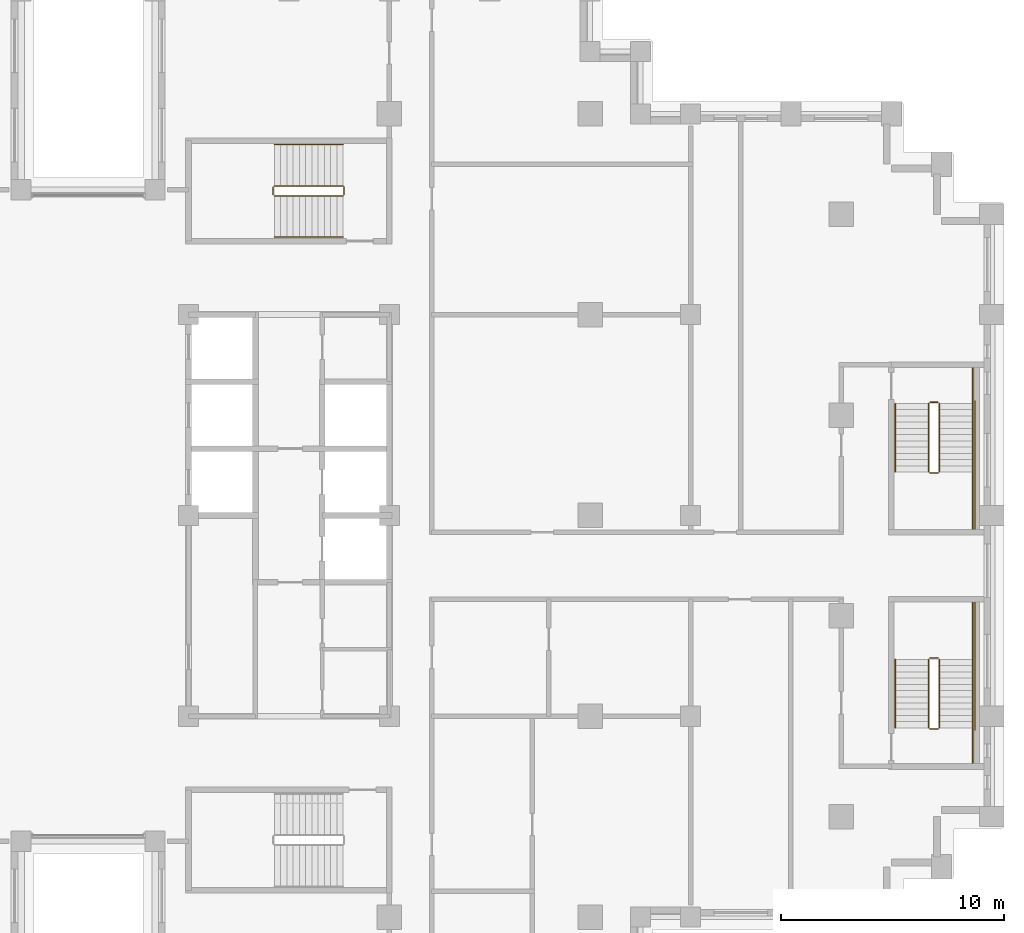
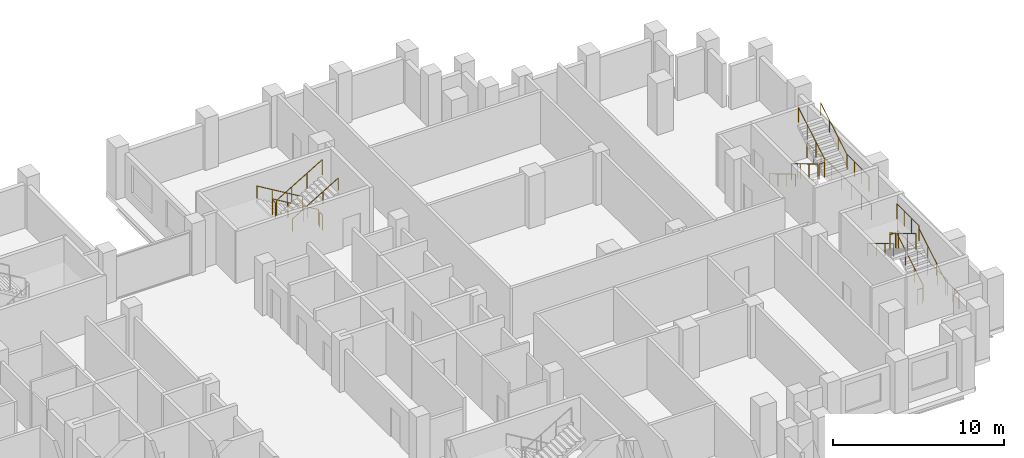
# One storey, part 15 of 15: 3 railings.
"""IFC4 building model written with IfcOpenShell, lengths in metres."""

from ifc_helpers import new_model, si_unit, direction, frame, origin, origin_2d, place, context, subcontext, project, spatial, circle, extrude, material, type_object, element, save


model = new_model("IFC4")

# Units and contexts
model_context = context("Model", 3, precision=1e-05, world=origin(), true_north=direction((0.0, 1.0)))
body_context = subcontext(model_context, "Body", "Model", "MODEL_VIEW")
ifc_project = project(units=[si_unit("LENGTHUNIT", "METRE"), si_unit("AREAUNIT", "SQUARE_METRE"), si_unit("VOLUMEUNIT", "CUBIC_METRE"), si_unit("PLANEANGLEUNIT", "RADIAN"), si_unit("MASSUNIT", "GRAM", prefix="KILO")], contexts=[model_context])

# Site, building, storey
site_placement = place(None, origin())
site = spatial("IfcSite", under=ifc_project, at=site_placement, CompositionType="ELEMENT")
building_placement = place(site_placement, origin())
building = spatial("IfcBuilding", under=site, at=building_placement, Name="Corbelhall Arena Tower", CompositionType="ELEMENT")
storey_placement = place(building_placement, frame((0.0, 0.0, 142.0)))
storey = spatial("IfcBuildingStorey", under=building, at=storey_placement, Name="L27", CompositionType="ELEMENT", Elevation=142.0)

# Railings
ifc_material = material(Name="Steel ASTM A500 Gr C", Category="steel")
railing_type = type_object("IfcRailingType", Name="IN-GD-1100", PredefinedType="GUARDRAIL", material=ifc_material)
railing_1_placement = place(storey_placement, frame((11.425048828125, 14.77490234375, 0.166748046875)))
element("IfcRailing", 1, at=railing_1_placement, inside=storey, type_object=railing_type, Name="L27 ST3 stair guards and handrails", PredefinedType="GUARDRAIL", context=body_context, shape_type="SweptSolid", body=[
    extrude(circle(Radius=0.02392578125, at=origin_2d()), frame((0.0, 0.0, 1.076171875), z_axis=(-0.859308565015, 0.0, 0.511457515432), x_axis=(0.0, -1.0, 0.0)), (0.0, 0.0, 1.0), 3.58447265625),
    extrude(circle(Radius=0.02392578125, at=origin_2d()), frame((-3.130126953125, -0.0498046875, 2.9091796875), z_axis=(0.0, -1.0, 0.0), x_axis=(1.0, 0.0, 0.0)), (0.0, 0.0, 1.0), 0.35009765625),
    extrude(circle(Radius=0.02392578125, at=origin_2d()), frame((-3.080078125, -0.449951171875, 3.076171875), z_axis=(0.859308565015, 0.0, 0.511457515432), x_axis=(0.0, 1.0, 0.0)), (0.0, 0.0, 1.0), 3.58447265625),
    extrude(circle(Radius=0.02392578125, at=origin_2d()), frame((0.050048828125, -0.0498046875, 0.9091796875), z_axis=(0.0, -1.0, 0.0), x_axis=(1.0, 0.0, 0.0)), (0.0, 0.0, 1.0), 0.35009765625),
    extrude(circle(Radius=0.02392578125, at=origin_2d()), frame((0.0, 1.85009765625, 0.8759765625), z_axis=(-0.859308565015, 0.0, 0.511457515432), x_axis=(0.0, -1.0, 0.0)), (0.0, 0.0, 1.0), 3.58447265625),
    extrude(circle(Radius=0.02392578125, at=origin_2d()), frame((-3.080078125, -2.2998046875, 2.8759765625), z_axis=(0.859308565015, 0.0, 0.511457515432), x_axis=(0.0, 1.0, 0.0)), (0.0, 0.0, 1.0), 3.58447265625),
    extrude(circle(Radius=0.02099609375, at=origin_2d()), origin(), (0.0, 0.0, 1.0), 1.052001953125),
    extrude(circle(Radius=0.02099609375, at=origin_2d()), frame((-1.026611328125, 0.0, 0.611083984375)), (0.0, 0.0, 1.0), 1.052001953125),
    extrude(circle(Radius=0.02099609375, at=origin_2d()), frame((-2.053466796875, 0.0, 1.22216796875)), (0.0, 0.0, 1.0), 1.052001953125),
    extrude(circle(Radius=0.02099609375, at=origin_2d()), frame((-3.080078125, 0.0, 1.833251953125)), (0.0, 0.0, 1.0), 1.052001953125),
    extrude(circle(Radius=0.02099609375, at=origin_2d()), frame((-3.130126953125, -0.0498046875, 1.833251953125)), (0.0, 0.0, 1.0), 1.052001953125),
    extrude(circle(Radius=0.02099609375, at=origin_2d()), frame((-3.130126953125, -0.39990234375, 1.833251953125)), (0.0, 0.0, 1.0), 1.052001953125),
    extrude(circle(Radius=0.02099609375, at=origin_2d()), frame((-3.080078125, -0.449951171875, 2.0)), (0.0, 0.0, 1.0), 1.052001953125),
    extrude(circle(Radius=0.02099609375, at=origin_2d()), frame((-2.053466796875, -0.449951171875, 2.611083984375)), (0.0, 0.0, 1.0), 1.052001953125),
    extrude(circle(Radius=0.02099609375, at=origin_2d()), frame((-1.026611328125, -0.449951171875, 3.22216796875)), (0.0, 0.0, 1.0), 1.052001953125),
    extrude(circle(Radius=0.02099609375, at=origin_2d()), frame((0.0, -0.449951171875, 3.833251953125)), (0.0, 0.0, 1.0), 1.052001953125),
    extrude(circle(Radius=0.02099609375, at=origin_2d()), frame((0.050048828125, -0.0498046875, -0.166748046875)), (0.0, 0.0, 1.0), 1.052001953125),
    extrude(circle(Radius=0.02099609375, at=origin_2d()), frame((0.050048828125, -0.39990234375, -0.166748046875)), (0.0, 0.0, 1.0), 1.052001953125),
    extrude(circle(Radius=0.02099609375, at=origin_2d()), frame((0.0, 1.85009765625, 0.0)), (0.0, 0.0, 1.0), 0.851806640625),
    extrude(circle(Radius=0.02099609375, at=origin_2d()), frame((-1.026611328125, 1.85009765625, 0.611083984375)), (0.0, 0.0, 1.0), 0.851806640625),
    extrude(circle(Radius=0.02099609375, at=origin_2d()), frame((-2.053466796875, 1.85009765625, 1.22216796875)), (0.0, 0.0, 1.0), 0.851806640625),
    extrude(circle(Radius=0.02099609375, at=origin_2d()), frame((-3.080078125, 1.85009765625, 1.833251953125)), (0.0, 0.0, 1.0), 0.851806640625),
    extrude(circle(Radius=0.02099609375, at=origin_2d()), frame((-3.080078125, -2.2998046875, 2.0)), (0.0, 0.0, 1.0), 0.851806640625),
    extrude(circle(Radius=0.02099609375, at=origin_2d()), frame((-2.053466796875, -2.2998046875, 2.611083984375)), (0.0, 0.0, 1.0), 0.851806640625),
    extrude(circle(Radius=0.02099609375, at=origin_2d()), frame((-1.026611328125, -2.2998046875, 3.22216796875)), (0.0, 0.0, 1.0), 0.851806640625),
    extrude(circle(Radius=0.02099609375, at=origin_2d()), frame((0.0, -2.2998046875, 3.833251953125)), (0.0, 0.0, 1.0), 0.851806640625),
])
railing_2_placement = place(storey_placement, frame((38.14990234375, -9.52490234375, 0.166748046875)))
element("IfcRailing", 2, at=railing_2_placement, inside=storey, type_object=railing_type, Name="L27 SD1 stair guards and handrails", PredefinedType="GUARDRAIL", context=body_context, shape_type="SweptSolid", body=[
    extrude(circle(Radius=0.02392578125, at=origin_2d()), frame((0.0, 0.0, 1.076171875), z_axis=(0.0, 0.859290745958, 0.51148745235), x_axis=(-1.0, 0.0, 0.0)), (0.0, 0.0, 1.0), 3.584228515625),
    extrude(circle(Radius=0.02392578125, at=origin_2d()), frame((-0.0498046875, 3.1298828125, 2.9091796875), z_axis=(-1.0, 0.0, 0.0), x_axis=(0.0, -1.0, 0.0)), (0.0, 0.0, 1.0), 0.375),
    extrude(circle(Radius=0.02392578125, at=origin_2d()), frame((1.5, 3.079833984375, 2.9091796875), z_axis=(0.0, 1.0, 0.0), x_axis=(-1.0, 0.0, 0.0)), (0.0, 0.0, 1.0), 2.570068359375),
    extrude(circle(Radius=0.02392578125, at=origin_2d()), frame((-0.474853515625, 3.079833984375, 3.076171875), z_axis=(0.0, -0.859290745958, 0.51148745235), x_axis=(1.0, 0.0, 0.0)), (0.0, 0.0, 1.0), 3.584228515625),
    extrude(circle(Radius=0.02392578125, at=origin_2d()), frame((-0.0498046875, -0.050048828125, 0.9091796875), z_axis=(-1.0, 0.0, 0.0), x_axis=(0.0, -1.0, 0.0)), (0.0, 0.0, 1.0), 0.375),
    extrude(circle(Radius=0.02392578125, at=origin_2d()), frame((1.5, -1.60009765625, 0.9091796875), z_axis=(0.0, 1.0, 0.0), x_axis=(-1.0, 0.0, 0.0)), (0.0, 0.0, 1.0), 1.60009765625),
    extrude(circle(Radius=0.02392578125, at=origin_2d()), frame((1.60009765625, -0.10009765625, 0.9091796875), z_axis=(0.0, 1.0, 0.0), x_axis=(-1.0, 0.0, 0.0)), (0.0, 0.0, 1.0), 5.85009765625),
    extrude(circle(Radius=0.02392578125, at=origin_2d()), frame((1.5, 0.0, 0.8759765625), z_axis=(0.0, 0.859290745958, 0.51148745235), x_axis=(-1.0, 0.0, 0.0)), (0.0, 0.0, 1.0), 3.584228515625),
    extrude(circle(Radius=0.02392578125, at=origin_2d()), frame((-1.974853515625, 3.079833984375, 2.8759765625), z_axis=(0.0, -0.859290745958, 0.51148745235), x_axis=(1.0, 0.0, 0.0)), (0.0, 0.0, 1.0), 3.584228515625),
    extrude(circle(Radius=0.02099609375, at=origin_2d()), origin(), (0.0, 0.0, 1.0), 1.052001953125),
    extrude(circle(Radius=0.02099609375, at=origin_2d()), frame((0.0, 1.026611328125, 0.611083984375)), (0.0, 0.0, 1.0), 1.052001953125),
    extrude(circle(Radius=0.02099609375, at=origin_2d()), frame((0.0, 2.05322265625, 1.22216796875)), (0.0, 0.0, 1.0), 1.052001953125),
    extrude(circle(Radius=0.02099609375, at=origin_2d()), frame((0.0, 3.079833984375, 1.833251953125)), (0.0, 0.0, 1.0), 1.052001953125),
    extrude(circle(Radius=0.02099609375, at=origin_2d()), frame((-0.0498046875, 3.1298828125, 1.833251953125)), (0.0, 0.0, 1.0), 1.052001953125),
    extrude(circle(Radius=0.02099609375, at=origin_2d()), frame((-0.4248046875, 3.1298828125, 1.833251953125)), (0.0, 0.0, 1.0), 1.052001953125),
    extrude(circle(Radius=0.02099609375, at=origin_2d()), frame((1.5, 3.079833984375, 1.833251953125)), (0.0, 0.0, 1.0), 1.052001953125),
    extrude(circle(Radius=0.02099609375, at=origin_2d()), frame((1.5, 3.9365234375, 1.833251953125)), (0.0, 0.0, 1.0), 1.052001953125),
    extrude(circle(Radius=0.02099609375, at=origin_2d()), frame((1.5, 4.793212890625, 1.833251953125)), (0.0, 0.0, 1.0), 1.052001953125),
    extrude(circle(Radius=0.02099609375, at=origin_2d()), frame((1.5, 5.64990234375, 1.833251953125)), (0.0, 0.0, 1.0), 1.052001953125),
    extrude(circle(Radius=0.02099609375, at=origin_2d()), frame((-0.474853515625, 3.079833984375, 2.0)), (0.0, 0.0, 1.0), 1.052001953125),
    extrude(circle(Radius=0.02099609375, at=origin_2d()), frame((-0.474853515625, 2.05322265625, 2.611083984375)), (0.0, 0.0, 1.0), 1.052001953125),
    extrude(circle(Radius=0.02099609375, at=origin_2d()), frame((-0.474853515625, 1.026611328125, 3.22216796875)), (0.0, 0.0, 1.0), 1.052001953125),
    extrude(circle(Radius=0.02099609375, at=origin_2d()), frame((-0.474853515625, 0.0, 3.833251953125)), (0.0, 0.0, 1.0), 1.052001953125),
    extrude(circle(Radius=0.02099609375, at=origin_2d()), frame((-0.0498046875, -0.050048828125, -0.166748046875)), (0.0, 0.0, 1.0), 1.052001953125),
    extrude(circle(Radius=0.02099609375, at=origin_2d()), frame((-0.4248046875, -0.050048828125, -0.166748046875)), (0.0, 0.0, 1.0), 1.052001953125),
    extrude(circle(Radius=0.02099609375, at=origin_2d()), frame((1.5, -1.60009765625, -0.166748046875)), (0.0, 0.0, 1.0), 1.052001953125),
    extrude(circle(Radius=0.02099609375, at=origin_2d()), frame((1.5, -0.800048828125, -0.166748046875)), (0.0, 0.0, 1.0), 1.052001953125),
    extrude(circle(Radius=0.02099609375, at=origin_2d()), frame((1.5, 0.0, -0.166748046875)), (0.0, 0.0, 1.0), 1.052001953125),
    extrude(circle(Radius=0.02099609375, at=origin_2d()), frame((1.60009765625, -0.10009765625, -0.166748046875)), (0.0, 0.0, 1.0), 1.052001953125),
    extrude(circle(Radius=0.02099609375, at=origin_2d()), frame((1.60009765625, 1.06982421875, -0.166748046875)), (0.0, 0.0, 1.0), 1.052001953125),
    extrude(circle(Radius=0.02099609375, at=origin_2d()), frame((1.60009765625, 2.239990234375, -0.166748046875)), (0.0, 0.0, 1.0), 1.052001953125),
    extrude(circle(Radius=0.02099609375, at=origin_2d()), frame((1.60009765625, 3.409912109375, -0.166748046875)), (0.0, 0.0, 1.0), 1.052001953125),
    extrude(circle(Radius=0.02099609375, at=origin_2d()), frame((1.60009765625, 4.580078125, -0.166748046875)), (0.0, 0.0, 1.0), 1.052001953125),
    extrude(circle(Radius=0.02099609375, at=origin_2d()), frame((1.60009765625, 5.75, -0.166748046875)), (0.0, 0.0, 1.0), 1.052001953125),
    extrude(circle(Radius=0.02099609375, at=origin_2d()), frame((1.5, 0.0, 0.0)), (0.0, 0.0, 1.0), 0.851806640625),
    extrude(circle(Radius=0.02099609375, at=origin_2d()), frame((1.5, 1.026611328125, 0.611083984375)), (0.0, 0.0, 1.0), 0.851806640625),
    extrude(circle(Radius=0.02099609375, at=origin_2d()), frame((1.5, 2.05322265625, 1.22216796875)), (0.0, 0.0, 1.0), 0.851806640625),
    extrude(circle(Radius=0.02099609375, at=origin_2d()), frame((-1.974853515625, 3.079833984375, 2.0)), (0.0, 0.0, 1.0), 0.851806640625),
    extrude(circle(Radius=0.02099609375, at=origin_2d()), frame((-1.974853515625, 2.05322265625, 2.611083984375)), (0.0, 0.0, 1.0), 0.851806640625),
    extrude(circle(Radius=0.02099609375, at=origin_2d()), frame((-1.974853515625, 1.026611328125, 3.22216796875)), (0.0, 0.0, 1.0), 0.851806640625),
    extrude(circle(Radius=0.02099609375, at=origin_2d()), frame((-1.974853515625, 0.0, 3.833251953125)), (0.0, 0.0, 1.0), 0.851806640625),
])
railing_3_placement = place(storey_placement, frame((37.675048828125, 5.02490234375, 0.166748046875)))
element("IfcRailing", 3, at=railing_3_placement, inside=storey, type_object=railing_type, Name="L27 SD2 stair guards and handrails", PredefinedType="GUARDRAIL", context=body_context, shape_type="SweptSolid", body=[
    extrude(circle(Radius=0.02392578125, at=origin_2d()), frame((0.0, 0.0, 1.076171875), z_axis=(0.0, -0.859290745958, 0.51148745235), x_axis=(1.0, 0.0, 0.0)), (0.0, 0.0, 1.0), 3.584228515625),
    extrude(circle(Radius=0.02392578125, at=origin_2d()), frame((0.050048828125, -3.1298828125, 2.9091796875), z_axis=(1.0, 0.0, 0.0), x_axis=(0.0, 1.0, 0.0)), (0.0, 0.0, 1.0), 0.375),
    extrude(circle(Radius=0.02392578125, at=origin_2d()), frame((1.974853515625, -3.079833984375, 2.9091796875), z_axis=(0.0, -1.0, 0.0), x_axis=(1.0, 0.0, 0.0)), (0.0, 0.0, 1.0), 2.570068359375),
    extrude(circle(Radius=0.02392578125, at=origin_2d()), frame((0.474853515625, -3.079833984375, 3.076171875), z_axis=(0.0, 0.859290745958, 0.51148745235), x_axis=(-1.0, 0.0, 0.0)), (0.0, 0.0, 1.0), 3.584228515625),
    extrude(circle(Radius=0.02392578125, at=origin_2d()), frame((0.050048828125, 0.050048828125, 0.9091796875), z_axis=(1.0, 0.0, 0.0), x_axis=(0.0, 1.0, 0.0)), (0.0, 0.0, 1.0), 0.375),
    extrude(circle(Radius=0.02392578125, at=origin_2d()), frame((1.974853515625, 1.60009765625, 0.9091796875), z_axis=(0.0, -1.0, 0.0), x_axis=(1.0, 0.0, 0.0)), (0.0, 0.0, 1.0), 1.60009765625),
    extrude(circle(Radius=0.02392578125, at=origin_2d()), frame((2.074951171875, 0.10009765625, 0.9091796875), z_axis=(0.0, -1.0, 0.0), x_axis=(1.0, 0.0, 0.0)), (0.0, 0.0, 1.0), 5.85009765625),
    extrude(circle(Radius=0.02392578125, at=origin_2d()), frame((-1.5, 0.0, 0.8759765625), z_axis=(0.0, -0.859290745958, 0.51148745235), x_axis=(1.0, 0.0, 0.0)), (0.0, 0.0, 1.0), 3.584228515625),
    extrude(circle(Radius=0.02392578125, at=origin_2d()), frame((1.974853515625, -3.079833984375, 2.8759765625), z_axis=(0.0, 0.859290745958, 0.51148745235), x_axis=(-1.0, 0.0, 0.0)), (0.0, 0.0, 1.0), 3.584228515625),
    extrude(circle(Radius=0.02099609375, at=origin_2d()), origin(), (0.0, 0.0, 1.0), 1.052001953125),
    extrude(circle(Radius=0.02099609375, at=origin_2d()), frame((0.0, -1.026611328125, 0.611083984375)), (0.0, 0.0, 1.0), 1.052001953125),
    extrude(circle(Radius=0.02099609375, at=origin_2d()), frame((0.0, -2.05322265625, 1.22216796875)), (0.0, 0.0, 1.0), 1.052001953125),
    extrude(circle(Radius=0.02099609375, at=origin_2d()), frame((0.0, -3.079833984375, 1.833251953125)), (0.0, 0.0, 1.0), 1.052001953125),
    extrude(circle(Radius=0.02099609375, at=origin_2d()), frame((0.050048828125, -3.1298828125, 1.833251953125)), (0.0, 0.0, 1.0), 1.052001953125),
    extrude(circle(Radius=0.02099609375, at=origin_2d()), frame((0.425048828125, -3.1298828125, 1.833251953125)), (0.0, 0.0, 1.0), 1.052001953125),
    extrude(circle(Radius=0.02099609375, at=origin_2d()), frame((1.974853515625, -3.079833984375, 1.833251953125)), (0.0, 0.0, 1.0), 1.052001953125),
    extrude(circle(Radius=0.02099609375, at=origin_2d()), frame((1.974853515625, -3.9365234375, 1.833251953125)), (0.0, 0.0, 1.0), 1.052001953125),
    extrude(circle(Radius=0.02099609375, at=origin_2d()), frame((1.974853515625, -4.793212890625, 1.833251953125)), (0.0, 0.0, 1.0), 1.052001953125),
    extrude(circle(Radius=0.02099609375, at=origin_2d()), frame((1.974853515625, -5.64990234375, 1.833251953125)), (0.0, 0.0, 1.0), 1.052001953125),
    extrude(circle(Radius=0.02099609375, at=origin_2d()), frame((0.474853515625, -3.079833984375, 2.0)), (0.0, 0.0, 1.0), 1.052001953125),
    extrude(circle(Radius=0.02099609375, at=origin_2d()), frame((0.474853515625, -2.05322265625, 2.611083984375)), (0.0, 0.0, 1.0), 1.052001953125),
    extrude(circle(Radius=0.02099609375, at=origin_2d()), frame((0.474853515625, -1.026611328125, 3.22216796875)), (0.0, 0.0, 1.0), 1.052001953125),
    extrude(circle(Radius=0.02099609375, at=origin_2d()), frame((0.474853515625, 0.0, 3.833251953125)), (0.0, 0.0, 1.0), 1.052001953125),
    extrude(circle(Radius=0.02099609375, at=origin_2d()), frame((0.050048828125, 0.050048828125, -0.166748046875)), (0.0, 0.0, 1.0), 1.052001953125),
    extrude(circle(Radius=0.02099609375, at=origin_2d()), frame((0.425048828125, 0.050048828125, -0.166748046875)), (0.0, 0.0, 1.0), 1.052001953125),
    extrude(circle(Radius=0.02099609375, at=origin_2d()), frame((1.974853515625, 1.60009765625, -0.166748046875)), (0.0, 0.0, 1.0), 1.052001953125),
    extrude(circle(Radius=0.02099609375, at=origin_2d()), frame((1.974853515625, 0.800048828125, -0.166748046875)), (0.0, 0.0, 1.0), 1.052001953125),
    extrude(circle(Radius=0.02099609375, at=origin_2d()), frame((1.974853515625, 0.0, -0.166748046875)), (0.0, 0.0, 1.0), 1.052001953125),
    extrude(circle(Radius=0.02099609375, at=origin_2d()), frame((2.074951171875, 0.10009765625, -0.166748046875)), (0.0, 0.0, 1.0), 1.052001953125),
    extrude(circle(Radius=0.02099609375, at=origin_2d()), frame((2.074951171875, -1.06982421875, -0.166748046875)), (0.0, 0.0, 1.0), 1.052001953125),
    extrude(circle(Radius=0.02099609375, at=origin_2d()), frame((2.074951171875, -2.239990234375, -0.166748046875)), (0.0, 0.0, 1.0), 1.052001953125),
    extrude(circle(Radius=0.02099609375, at=origin_2d()), frame((2.074951171875, -3.409912109375, -0.166748046875)), (0.0, 0.0, 1.0), 1.052001953125),
    extrude(circle(Radius=0.02099609375, at=origin_2d()), frame((2.074951171875, -4.580078125, -0.166748046875)), (0.0, 0.0, 1.0), 1.052001953125),
    extrude(circle(Radius=0.02099609375, at=origin_2d()), frame((2.074951171875, -5.75, -0.166748046875)), (0.0, 0.0, 1.0), 1.052001953125),
    extrude(circle(Radius=0.02099609375, at=origin_2d()), frame((-1.5, 0.0, 0.0)), (0.0, 0.0, 1.0), 0.851806640625),
    extrude(circle(Radius=0.02099609375, at=origin_2d()), frame((-1.5, -1.026611328125, 0.611083984375)), (0.0, 0.0, 1.0), 0.851806640625),
    extrude(circle(Radius=0.02099609375, at=origin_2d()), frame((-1.5, -2.05322265625, 1.22216796875)), (0.0, 0.0, 1.0), 0.851806640625),
    extrude(circle(Radius=0.02099609375, at=origin_2d()), frame((-1.5, -3.079833984375, 1.833251953125)), (0.0, 0.0, 1.0), 0.851806640625),
    extrude(circle(Radius=0.02099609375, at=origin_2d()), frame((1.974853515625, -3.079833984375, 2.0)), (0.0, 0.0, 1.0), 0.851806640625),
    extrude(circle(Radius=0.02099609375, at=origin_2d()), frame((1.974853515625, -2.05322265625, 2.611083984375)), (0.0, 0.0, 1.0), 0.851806640625),
    extrude(circle(Radius=0.02099609375, at=origin_2d()), frame((1.974853515625, -1.026611328125, 3.22216796875)), (0.0, 0.0, 1.0), 0.851806640625),
    extrude(circle(Radius=0.02099609375, at=origin_2d()), frame((1.974853515625, 0.0, 3.833251953125)), (0.0, 0.0, 1.0), 0.851806640625),
])

save(model, "model.ifc")
